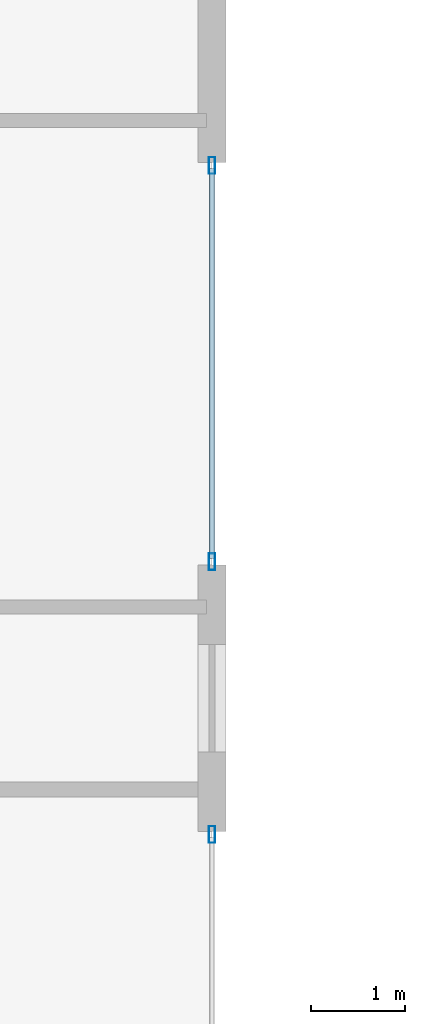
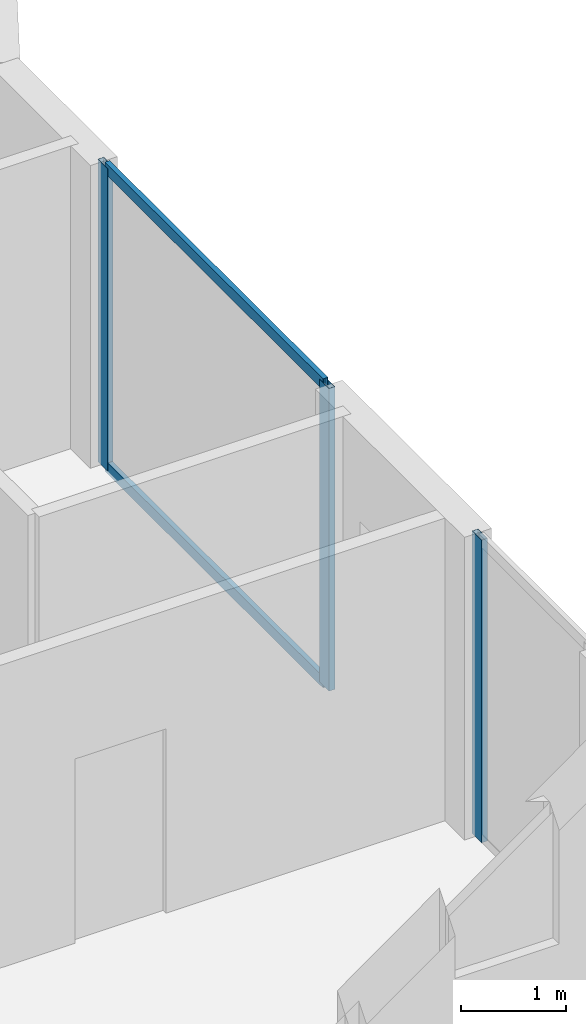
# One storey, part 12 of 32: 5 members, 2 elements without a shape of their own.
"""IFC4 building model written with IfcOpenShell, lengths in metres."""

from ifc_helpers import new_model, si_unit, direction, frame, origin, origin_2d, place, context, subcontext, project, spatial, hollow_rectangle, extrude, material, layer, layer_set, material_profile, profile_set, type_object, element, aggregate, save


model = new_model("IFC4")

# Units and contexts
model_context = context("Model", 3, precision=1e-05, world=origin(), true_north=direction((0.0, 1.0)))
body_context = subcontext(model_context, "Body", "Model", "MODEL_VIEW")
ifc_project = project(units=[si_unit("LENGTHUNIT", "METRE"), si_unit("AREAUNIT", "SQUARE_METRE"), si_unit("VOLUMEUNIT", "CUBIC_METRE"), si_unit("PLANEANGLEUNIT", "RADIAN"), si_unit("MASSUNIT", "GRAM", prefix="KILO")], contexts=[model_context])

# Site, building, storey
site_placement = place(None, origin())
site = spatial("IfcSite", under=ifc_project, at=site_placement, CompositionType="ELEMENT")
building_placement = place(site_placement, origin())
building = spatial("IfcBuilding", under=site, at=building_placement, Name="Zuhayl Quay Hotel", CompositionType="ELEMENT")
storey_placement = place(building_placement, frame((0.0, 0.0, 192.39990234375)))
storey = spatial("IfcBuildingStorey", under=building, at=storey_placement, Name="L48", CompositionType="ELEMENT", Elevation=192.39990234375)

# Curtain wall, members
ifc_material_1 = material(Name="Anodised Aluminium 6063-T6", Category="aluminium")
ifc_layer = layer(ifc_material_1, 0.175048828125, Name="Anodised Aluminium 6063-T6", Category="aluminium")
ifc_layer_set = layer_set([ifc_layer], Name="Anodised Aluminium 6063-T6")
curtain_wall_type = type_object("IfcCurtainWallType", Name="CW_SYS_Z3", PredefinedType="USERDEFINED", material=ifc_layer_set)
curtain_wall_1_placement = place(storey_placement, origin())
curtain_wall_1 = element("IfcCurtainWall", 1, at=curtain_wall_1_placement, inside=storey, type_object=curtain_wall_type, Name="L48 Curtain Wall ENV_L48_E14_CW1", ObjectType="UNITISED CURTAIN WALL", PredefinedType="USERDEFINED")
ifc_material_2 = material(Name="Black-anodised aluminium 6063-T6", Category="aluminium")
ifc_material_profile_1 = material_profile(ifc_material_2, hollow_rectangle(XDim=0.06494140625, YDim=0.179931640625, WallThickness=0.00341796875, at=origin_2d()), Name="ALU180X65")
ifc_profile_set_1 = profile_set([ifc_material_profile_1], Name="Black-anodised aluminium 6063-T6")
member_type_1 = type_object("IfcMemberType", Name="MB_CW_MUL_180", PredefinedType="MULLION", material=ifc_profile_set_1)
member_1_placement = place(storey_placement, frame((22.10009765625, 6.267578125, 0.0), z_axis=(0.0, 0.0, 1.0), x_axis=(1.0, 0.0, 0.0)))
member_1 = element("IfcMember", 2, at=member_1_placement, type_object=member_type_1, Name="CW-Z3 mullion 1", PredefinedType="MULLION", context=body_context, shape_type="SweptSolid", body=[
    extrude(hollow_rectangle(XDim=0.06494140625, YDim=0.179931640625, WallThickness=0.00341796875, at=origin_2d()), origin(), (0.0, 0.0, 1.0), 3.530029296875),
])
member_2_placement = place(storey_placement, frame((22.10009765625, 2.032470703125, 0.0), z_axis=(0.0, 0.0, 1.0), x_axis=(1.0, 0.0, 0.0)))
member_2 = element("IfcMember", 3, at=member_2_placement, type_object=member_type_1, Name="CW-Z3 mullion 2", PredefinedType="MULLION", context=body_context, shape_type="SweptSolid", body=[
    extrude(hollow_rectangle(XDim=0.06494140625, YDim=0.179931640625, WallThickness=0.00341796875, at=origin_2d()), origin(), (0.0, 0.0, 1.0), 3.530029296875),
])

# Curtain wall, member
curtain_wall_2_placement = place(storey_placement, origin())
curtain_wall_2 = element("IfcCurtainWall", 4, at=curtain_wall_2_placement, inside=storey, type_object=curtain_wall_type, Name="L48 Curtain Wall ENV_L48_E14_CW2", ObjectType="UNITISED CURTAIN WALL", PredefinedType="USERDEFINED")
member_3_placement = place(storey_placement, frame((22.10009765625, -0.882568359375, 0.0), z_axis=(0.0, 0.0, 1.0), x_axis=(1.0, 0.0, 0.0)))
member_3 = element("IfcMember", 5, at=member_3_placement, type_object=member_type_1, Name="CW-Z3 mullion 1", PredefinedType="MULLION", context=body_context, shape_type="SweptSolid", body=[
    extrude(hollow_rectangle(XDim=0.06494140625, YDim=0.179931640625, WallThickness=0.00341796875, at=origin_2d()), origin(), (0.0, 0.0, 1.0), 3.530029296875),
])
aggregate(curtain_wall_2, [member_3])

# Member
ifc_material_profile_2 = material_profile(ifc_material_2, hollow_rectangle(XDim=0.054931640625, YDim=0.1298828125, WallThickness=0.0029296875, at=origin_2d()), Name="ALU130X55")
ifc_profile_set_2 = profile_set([ifc_material_profile_2], Name="Black-anodised aluminium 6063-T6")
member_type_2 = type_object("IfcMemberType", Name="MB_CW_TRN_130", PredefinedType="USERDEFINED", material=ifc_profile_set_2)
member_4_placement = place(storey_placement, frame((22.10009765625, 6.235107421875, 0.027587890625), z_axis=(0.0, -1.0, 0.0), x_axis=(1.0, 0.0, 0.0)))
member_4 = element("IfcMember", 6, at=member_4_placement, type_object=member_type_2, Name="CW-Z3 transom 1.1", ObjectType="TRANSOM", PredefinedType="USERDEFINED", context=body_context, shape_type="SweptSolid", body=[
    extrude(hollow_rectangle(XDim=0.054931640625, YDim=0.1298828125, WallThickness=0.0029296875, at=origin_2d()), origin(), (0.0, 0.0, 1.0), 4.170166015625),
])

member_5_placement = place(storey_placement, frame((22.10009765625, 6.235107421875, 3.502685546875), z_axis=(0.0, -1.0, 0.0), x_axis=(1.0, 0.0, 0.0)))
member_5 = element("IfcMember", 7, at=member_5_placement, type_object=member_type_2, Name="CW-Z3 transom 1.2", ObjectType="TRANSOM", PredefinedType="USERDEFINED", context=body_context, shape_type="SweptSolid", body=[
    extrude(hollow_rectangle(XDim=0.054931640625, YDim=0.1298828125, WallThickness=0.0029296875, at=origin_2d()), origin(), (0.0, 0.0, 1.0), 4.170166015625),
])

aggregate(curtain_wall_1, [member_1, member_2, member_4, member_5])

save(model, "model.ifc")
